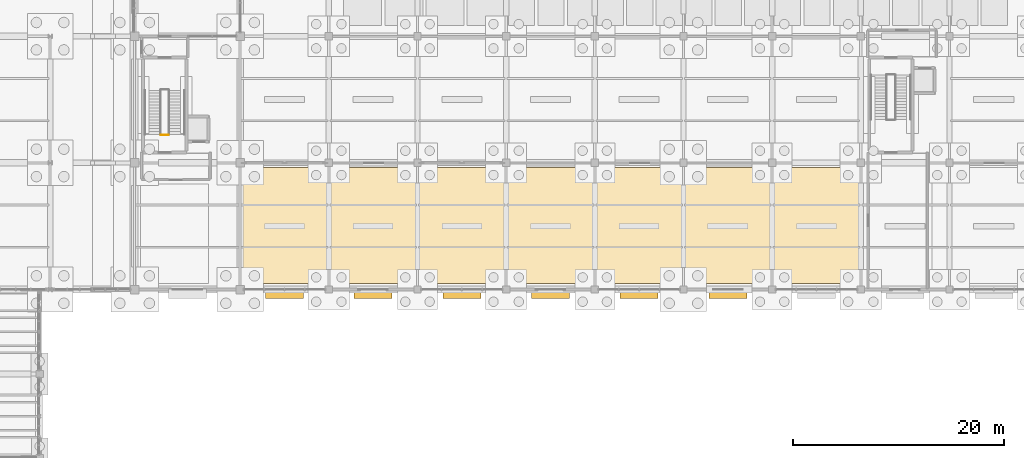
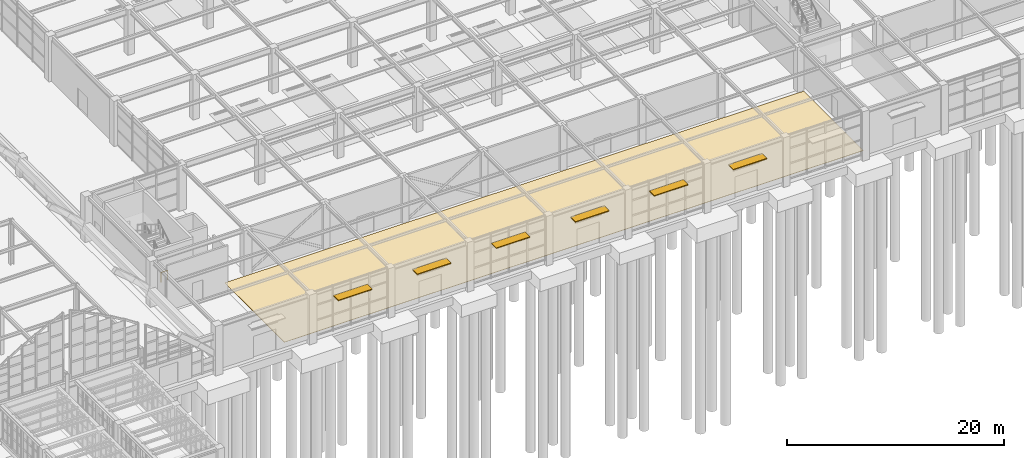
# One storey, part 119 of 129: 6 shading devices, 1 covering, 1 railing.
"""IFC4 building model written with IfcOpenShell, lengths in metres."""

from ifc_helpers import new_model, si_unit, direction, frame, origin, origin_2d, place, context, subcontext, project, spatial, polyline, rectangle, circle, outline, extrude, material, layer, layer_set, type_object, element, save


model = new_model("IFC4")

# Units and contexts
model_context = context("Model", 3, precision=1e-05, world=origin(), true_north=direction((0.0, 1.0)))
body_context = subcontext(model_context, "Body", "Model", "MODEL_VIEW")
ifc_project = project(units=[si_unit("LENGTHUNIT", "METRE"), si_unit("AREAUNIT", "SQUARE_METRE"), si_unit("VOLUMEUNIT", "CUBIC_METRE"), si_unit("PLANEANGLEUNIT", "RADIAN"), si_unit("MASSUNIT", "GRAM", prefix="KILO")], contexts=[model_context])

# Site, building, storey
site_placement = place(None, origin())
site = spatial("IfcSite", under=ifc_project, at=site_placement, CompositionType="ELEMENT")
building_placement = place(site_placement, origin())
building = spatial("IfcBuilding", under=site, at=building_placement, Name="Sitalva Quay Ferry Terminal", CompositionType="ELEMENT")
storey_placement = place(building_placement, origin())
storey = spatial("IfcBuildingStorey", under=building, at=storey_placement, Name="L01", CompositionType="ELEMENT", Elevation=0.0)

# Covering
ifc_material_1 = material(Name="Flamed Non-Slip Granite Paving", Category="masonry")
ifc_layer = layer(ifc_material_1, 0.034912109375)
ifc_layer_set = layer_set([ifc_layer], Name="Flamed Non-Slip Granite Paving")
covering_type = type_object("IfcCoveringType", Name="Finish_Granite_35", PredefinedType="FLOORING", material=ifc_layer_set)
covering_placement = place(storey_placement, origin())
element("IfcCovering", 1, at=covering_placement, inside=storey, type_object=covering_type, Name="South-East Waterfront Boarding Concourse flooring", PredefinedType="FLOORING", context=body_context, shape_type="SweptSolid", body=[
    extrude(outline(polyline([(81.5, 6.550048828125), (143.050048828125, 6.550048828125), (143.050048828125, 17.550048828125), (81.5, 17.550048828125), (81.5, 6.550048828125)])), origin(), (0.0, 0.0, 1.0), 0.034912109375),
])

# Railing
ifc_material_2 = material(Name="Galvanised Steel S275JR", Category="steel")
railing_type = type_object("IfcRailingType", Name="Railing_Guard_1100", PredefinedType="GUARDRAIL", material=ifc_material_2)
railing_placement = place(storey_placement, frame((77.219970703125, 20.6298828125, 0.0)))
element("IfcRailing", 2, at=railing_placement, inside=storey, type_object=railing_type, Name="L01 ST-06 stair guard 4", PredefinedType="GUARDRAIL", context=body_context, shape_type="SweptSolid", body=[
    extrude(circle(Radius=0.02392578125, at=origin_2d()), frame((0.0, 0.0, 1.076171875), z_axis=(-1.0, 0.0, 0.0), x_axis=(0.0, -1.0, 0.0)), (0.0, 0.0, 1.0), 0.739990234375),
    extrude(circle(Radius=0.02099609375, at=origin_2d()), origin(), (0.0, 0.0, 1.0), 1.052001953125),
    extrude(circle(Radius=0.02099609375, at=origin_2d()), frame((-0.739990234375, 0.0, 0.0)), (0.0, 0.0, 1.0), 1.052001953125),
])

# Shading devices
ifc_material_3 = material(Name="Anodised Marine Aluminium 6063-T6", Category="aluminium")
shading_device_type = type_object("IfcShadingDeviceType", Name="Shade_HorizontalLouvre_900", PredefinedType="USERDEFINED", material=ifc_material_3)
for number, where, z_axis, x_axis, name in (
    (3, (88.199951171875, 5.580078125, 3.8076171875), (0.0, 0.0, 1.0), (1.0, 0.0, 0.0), "Monsoon sunshade canopy BS-003"),
    (4, (96.60009765625, 5.580078125, 3.8076171875), (0.0, 0.0, 1.0), (1.0, 0.0, 0.0), "Monsoon sunshade canopy BS-005"),
    (5, (105.0, 5.580078125, 3.8076171875), (0.0, 0.0, 1.0), (1.0, 0.0, 0.0), "Monsoon sunshade canopy BS-007"),
    (6, (113.39990234375, 5.580078125, 3.8076171875), (0.0, 0.0, 1.0), (1.0, 0.0, 0.0), "Monsoon sunshade canopy BS-009"),
    (7, (121.800048828125, 5.580078125, 3.8076171875), (0.0, 0.0, 1.0), (1.0, 0.0, 0.0), "Monsoon sunshade canopy BS-011"),
    (8, (130.199951171875, 5.580078125, 3.8076171875), (0.0, 0.0, 1.0), (1.0, 0.0, 0.0), "Monsoon sunshade canopy BS-013"),
):
    element("IfcShadingDevice", number, at=place(storey_placement, frame(where, z_axis=z_axis, x_axis=x_axis)), inside=storey, type_object=shading_device_type, Name=name, ObjectType="SUNSHADE", PredefinedType="USERDEFINED", context=body_context, shape_type="SweptSolid", body=[
        extrude(rectangle(XDim=3.60009765625, YDim=0.89990234375, at=origin_2d()), origin(), (0.0, 0.0, 1.0), 0.0849609375),
    ])

save(model, "model.ifc")
